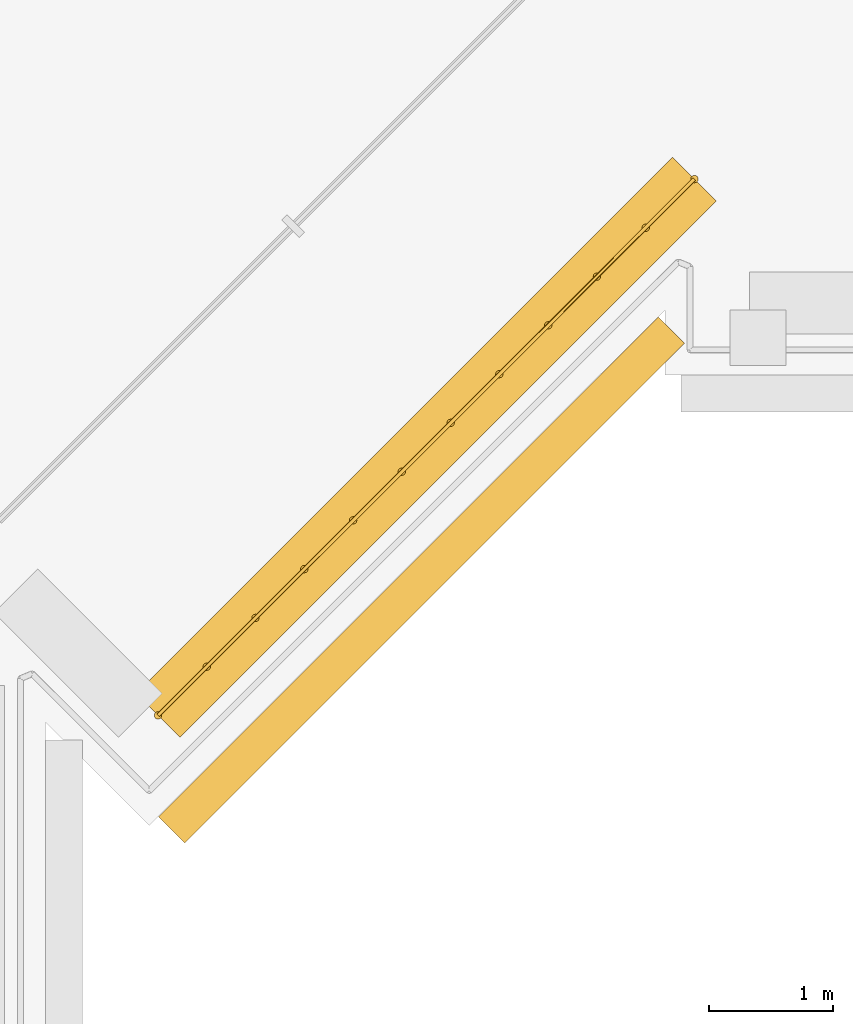
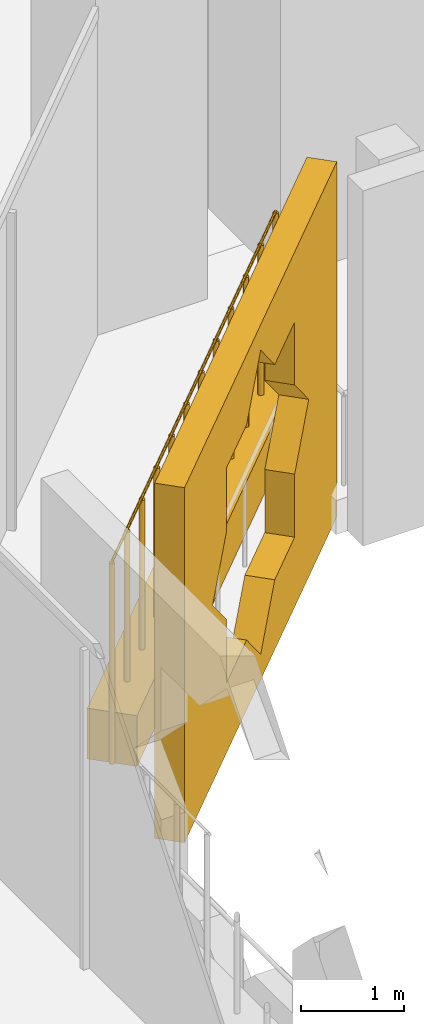
# One storey, part 21 of 27: 2 coverings, 1 railing.
"""IFC4 building model written with IfcOpenShell, lengths in metres."""

from ifc_helpers import new_model, si_unit, direction, frame, origin, origin_2d, place, context, subcontext, project, spatial, polyline, rectangle, circle, outline, extrude, material, material_profile, profile_set, type_object, element, save


model = new_model("IFC4")

# Units and contexts
model_context = context("Model", 3, precision=1e-05, world=origin(), true_north=direction((0.0, 1.0)))
body_context = subcontext(model_context, "Body", "Model", "MODEL_VIEW")
ifc_project = project(units=[si_unit("LENGTHUNIT", "METRE"), si_unit("AREAUNIT", "SQUARE_METRE"), si_unit("VOLUMEUNIT", "CUBIC_METRE"), si_unit("PLANEANGLEUNIT", "RADIAN"), si_unit("MASSUNIT", "GRAM", prefix="KILO")], contexts=[model_context])

# Site, building, storey
site_placement = place(None, origin())
site = spatial("IfcSite", under=ifc_project, at=site_placement, CompositionType="ELEMENT")
building_placement = place(site_placement, origin())
building = spatial("IfcBuilding", under=site, at=building_placement, Name="Kawkab Arch Medical Tower", CompositionType="ELEMENT")
storey_placement = place(building_placement, frame((0.0, 0.0, 39.199951171875)))
storey = spatial("IfcBuildingStorey", under=building, at=storey_placement, Name="L08", CompositionType="ELEMENT", Elevation=39.199951171875)

# Coverings
ifc_material_1 = material(Name="Bronze anodised aluminium mashrabiya panel, eight-point star pattern", Category="aluminium")
ifc_material_profile_1 = material_profile(ifc_material_1, outline(polyline([(-2.85009765625, -2.10009765625), (2.85009765625, -2.10009765625), (2.85009765625, 2.10009765625), (-2.85009765625, 2.10009765625), (-2.85009765625, -2.10009765625)]), holes=[polyline([(1.800048828125, 0.0), (1.272705078125, 0.527099609375), (1.272705078125, 1.272705078125), (0.527099609375, 1.272705078125), (0.0, 1.800048828125), (-0.527099609375, 1.272705078125), (-1.272705078125, 1.272705078125), (-1.272705078125, 0.527099609375), (-1.800048828125, 0.0), (-1.272705078125, -0.527099609375), (-1.272705078125, -1.272705078125), (-0.527099609375, -1.272705078125), (0.0, -1.800048828125), (0.527099609375, -1.272705078125), (1.272705078125, -1.272705078125), (1.272705078125, -0.527099609375), (1.800048828125, 0.0)])]), Name="Mashrabiya panel 5700x4200")
ifc_profile_set_1 = profile_set([ifc_material_profile_1], Name="Bronze anodised aluminium mashrabiya panel, eight-point star pattern")
covering_type_1 = type_object("IfcCoveringType", Name="Mashrabiya panel 5700 x 4200", PredefinedType="USERDEFINED", material=ifc_profile_set_1)
covering_1_placement = place(storey_placement, frame((29.128662109375, -30.94775390625, 1.699951171875), z_axis=(0.707106781187, -0.707106781187, 0.0), x_axis=(0.707106781187, 0.707106781187, 0.0)))
element("IfcCovering", 1, at=covering_1_placement, inside=storey, type_object=covering_type_1, Name="Mashrabiya panel L08.LOG-01-01.15", ObjectType="SCREEN", PredefinedType="USERDEFINED", context=body_context, shape_type="SweptSolid", body=[
    extrude(outline(polyline([(-2.85009765625, -2.10009765625), (2.85009765625, -2.10009765625), (2.85009765625, 2.10009765625), (-2.85009765625, 2.10009765625), (-2.85009765625, -2.10009765625)]), holes=[polyline([(1.800048828125, 0.0), (1.272705078125, 0.527099609375), (1.272705078125, 1.272705078125), (0.527099609375, 1.272705078125), (0.0, 1.800048828125), (-0.527099609375, 1.272705078125), (-1.272705078125, 1.272705078125), (-1.272705078125, 0.527099609375), (-1.800048828125, 0.0), (-1.272705078125, -0.527099609375), (-1.272705078125, -1.272705078125), (-0.527099609375, -1.272705078125), (0.0, -1.800048828125), (0.527099609375, -1.272705078125), (1.272705078125, -1.272705078125), (1.272705078125, -0.527099609375), (1.800048828125, 0.0)])]), origin(), (0.0, 0.0, 1.0), 0.300048828125),
])
ifc_material_2 = material(Name="Planting soil in a precast trough", Category="concrete")
ifc_material_profile_2 = material_profile(ifc_material_2, rectangle(XDim=0.5, YDim=0.60009765625, at=origin_2d()), Name="Trough 500x600")
ifc_profile_set_2 = profile_set([ifc_material_profile_2], Name="Planting soil in a precast trough")
covering_type_2 = type_object("IfcCoveringType", Name="Planter trough 500 x 600", PredefinedType="USERDEFINED", material=ifc_profile_set_2)
covering_2_placement = place(storey_placement, frame((31.43701171875, -27.820068359375, 0.300048828125), z_axis=(-0.707206504313, -0.707007043994, 0.0), x_axis=(0.707007043994, -0.707206504313, 0.0)))
element("IfcCovering", 2, at=covering_2_placement, inside=storey, type_object=covering_type_2, Name="Planter L08.LOG-01-01.47", ObjectType="PLANTER", PredefinedType="USERDEFINED", context=body_context, shape_type="SweptSolid", body=[
    extrude(rectangle(XDim=0.5, YDim=0.60009765625, at=origin_2d()), origin(), (0.0, 0.0, 1.0), 6.1201171875),
])

# Railing
ifc_material_3 = material(Name="Bronze anodised aluminium trellis for climbing plants", Category="aluminium")
railing_type = type_object("IfcRailingType", Name="Planting trellis 2400", PredefinedType="USERDEFINED", material=ifc_material_3)
railing_placement = place(storey_placement, frame((31.43701171875, -27.820068359375, 0.0)))
element("IfcRailing", 3, at=railing_placement, inside=storey, type_object=railing_type, Name="Planting trellis L08.LOG-01-01.47", ObjectType="TRELLIS", PredefinedType="USERDEFINED", context=body_context, shape_type="SweptSolid", body=[
    extrude(circle(Radius=0.01513671875, at=origin_2d()), frame((0.0, 0.0, 2.384765625), z_axis=(-0.707206504313, -0.707007043994, 0.0), x_axis=(0.707007043994, -0.707206504313, 0.0)), (0.0, 0.0, 1.0), 6.1201171875),
    extrude(circle(Radius=0.030029296875, at=origin_2d()), origin(), (0.0, 0.0, 1.0), 2.369873046875),
    extrude(circle(Radius=0.030029296875, at=origin_2d()), frame((-0.3935546875, -0.393310546875, 0.0)), (0.0, 0.0, 1.0), 2.369873046875),
    extrude(circle(Radius=0.030029296875, at=origin_2d()), frame((-0.786865234375, -0.78662109375, 0.0)), (0.0, 0.0, 1.0), 2.369873046875),
    extrude(circle(Radius=0.030029296875, at=origin_2d()), frame((-1.180419921875, -1.18017578125, 0.0)), (0.0, 0.0, 1.0), 2.369873046875),
    extrude(circle(Radius=0.030029296875, at=origin_2d()), frame((-1.573974609375, -1.573486328125, 0.0)), (0.0, 0.0, 1.0), 2.369873046875),
    extrude(circle(Radius=0.030029296875, at=origin_2d()), frame((-1.96728515625, -1.966796875, 0.0)), (0.0, 0.0, 1.0), 2.369873046875),
    extrude(circle(Radius=0.030029296875, at=origin_2d()), frame((-2.36083984375, -2.360107421875, 0.0)), (0.0, 0.0, 1.0), 2.369873046875),
    extrude(circle(Radius=0.030029296875, at=origin_2d()), frame((-2.754150390625, -2.75341796875, 0.0)), (0.0, 0.0, 1.0), 2.369873046875),
    extrude(circle(Radius=0.030029296875, at=origin_2d()), frame((-3.147705078125, -3.146728515625, 0.0)), (0.0, 0.0, 1.0), 2.369873046875),
    extrude(circle(Radius=0.030029296875, at=origin_2d()), frame((-3.541259765625, -3.540283203125, 0.0)), (0.0, 0.0, 1.0), 2.369873046875),
    extrude(circle(Radius=0.030029296875, at=origin_2d()), frame((-3.9345703125, -3.93359375, 0.0)), (0.0, 0.0, 1.0), 2.369873046875),
    extrude(circle(Radius=0.030029296875, at=origin_2d()), frame((-4.328125, -4.326904296875, 0.0)), (0.0, 0.0, 1.0), 2.369873046875),
])

save(model, "model.ifc")
